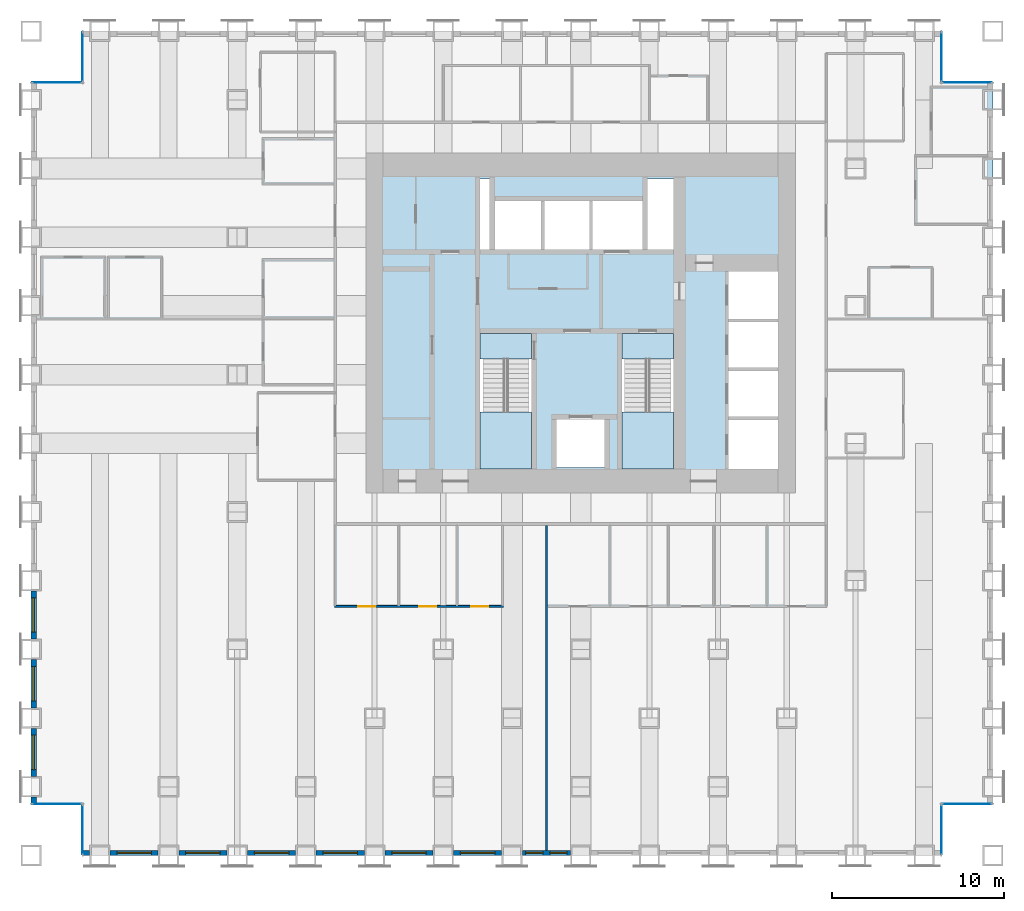
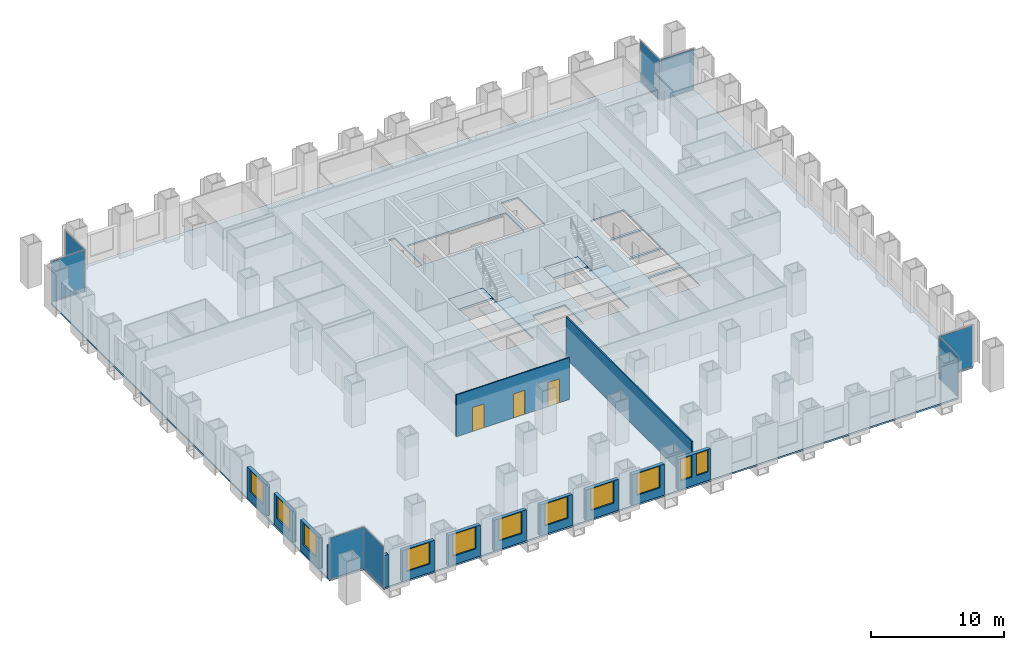
# One storey, part 7 of 14: 14 walls, 11 windows, 8 plates, 5 slabs, 3 doors, 14 openings, 10 elements without a shape of their own.
"""IFC4 building model written with IfcOpenShell, lengths in metres."""

from ifc_helpers import new_model, si_unit, direction, frame, frame_2d, origin, origin_2d, place, context, subcontext, project, spatial, polyline, rectangle, outline, extrude, material, layer, layer_set, type_object, element, fill, aggregate, save


model = new_model("IFC4")

# Units and contexts
model_context = context("Model", 3, precision=1e-05, world=origin(), true_north=direction((0.0, 1.0)))
body_context = subcontext(model_context, "Body", "Model", "MODEL_VIEW")
ifc_project = project(units=[si_unit("LENGTHUNIT", "METRE"), si_unit("AREAUNIT", "SQUARE_METRE"), si_unit("VOLUMEUNIT", "CUBIC_METRE"), si_unit("PLANEANGLEUNIT", "RADIAN"), si_unit("MASSUNIT", "GRAM", prefix="KILO")], contexts=[model_context])

# Site, building, storey
site_placement = place(None, origin())
site = spatial("IfcSite", under=ifc_project, at=site_placement, CompositionType="ELEMENT")
building_placement = place(site_placement, origin())
building = spatial("IfcBuilding", under=site, at=building_placement, Name="Rimbunsela Tower", CompositionType="ELEMENT")
storey_placement = place(building_placement, frame((0.0, 0.0, 15.0)))
storey = spatial("IfcBuildingStorey", under=building, at=storey_placement, Name="L03", CompositionType="ELEMENT", Elevation=15.0)

# Slab
ifc_material_1 = material(Name="Concrete fc' 35 MPa", Category="concrete")
ifc_layer_1 = layer(ifc_material_1, 0.14990234375)
ifc_layer_set_1 = layer_set([ifc_layer_1], Name="Floor slab 150")
slab_type_1 = type_object("IfcSlabType", Name="Floor slab 150", PredefinedType="FLOOR", material=ifc_layer_set_1)
slab_1_placement = place(storey_placement, frame((0.0, 0.0, -0.14990234375)))
element("IfcSlab", 1, at=slab_1_placement, inside=storey, type_object=slab_type_1, Name="Floor slab L03", PredefinedType="FLOOR", context=body_context, shape_type="SweptSolid", body=[
    extrude(outline(polyline([(1.0, -4.0), (51.0, -4.0), (51.0, -1.0), (54.0, -1.0), (54.0, 41.0), (51.0, 41.0), (51.0, 44.0), (1.0, 44.0), (1.0, 41.0), (-2.0, 41.0), (-2.0, -1.0), (1.0, -1.0), (1.0, -4.0)]), holes=[polyline([(27.14990234375, 18.60009765625), (27.14990234375, 26.39990234375), (24.14990234375, 26.39990234375), (24.14990234375, 18.60009765625), (27.14990234375, 18.60009765625)]), polyline([(24.699951171875, 31.300048828125), (24.699951171875, 35.39990234375), (24.14990234375, 35.39990234375), (24.14990234375, 31.300048828125), (24.699951171875, 31.300048828125)]), polyline([(25.0, 34.10009765625), (25.0, 31.300048828125), (33.60009765625, 31.300048828125), (33.60009765625, 34.10009765625), (25.0, 34.10009765625)]), polyline([(31.39990234375, 21.39990234375), (28.60009765625, 21.39990234375), (28.60009765625, 18.60009765625), (31.39990234375, 18.60009765625), (31.39990234375, 21.39990234375)]), polyline([(35.39990234375, 18.60009765625), (35.39990234375, 26.39990234375), (32.39990234375, 26.39990234375), (32.39990234375, 18.60009765625), (35.39990234375, 18.60009765625)]), polyline([(35.39990234375, 31.300048828125), (35.39990234375, 35.39990234375), (33.89990234375, 35.39990234375), (33.89990234375, 31.300048828125), (35.39990234375, 31.300048828125)]), polyline([(41.5, 21.35009765625), (38.60009765625, 21.35009765625), (38.60009765625, 18.5), (41.5, 18.5), (41.5, 21.35009765625)]), polyline([(41.5, 21.550048828125), (41.5, 24.199951171875), (38.60009765625, 24.199951171875), (38.60009765625, 21.550048828125), (41.5, 21.550048828125)]), polyline([(41.5, 27.050048828125), (38.60009765625, 27.050048828125), (38.60009765625, 24.39990234375), (41.5, 24.39990234375), (41.5, 27.050048828125)]), polyline([(41.5, 27.25), (41.5, 30.0), (38.60009765625, 30.0), (38.60009765625, 27.25), (41.5, 27.25)])]), origin(), (0.0, 0.0, 1.0), 0.14990234375),
])

# Curtain wall, plate
ifc_material_2 = material(Name="Aluminium curtain wall", Category="aluminium")
curtain_wall_type = type_object("IfcCurtainWallType", Name="Corner glazing", PredefinedType="USERDEFINED", material=ifc_material_2)
curtain_wall_1_placement = place(storey_placement, origin())
curtain_wall_1 = element("IfcCurtainWall", 2, at=curtain_wall_1_placement, inside=storey, type_object=curtain_wall_type, Name="Corner glazing L03", ObjectType="CORNER GLAZING", PredefinedType="USERDEFINED")
ifc_material_3 = material(Name="Clear double glazing", Category="glass")
ifc_layer_2 = layer(ifc_material_3, 0.028076171875)
ifc_layer_set_2 = layer_set([ifc_layer_2], Name="Glazed panel clear")
plate_type = type_object("IfcPlateType", Name="Glazed panel clear", PredefinedType="CURTAIN_PANEL", material=ifc_layer_set_2)
plate_1_placement = place(storey_placement, frame((51.0, -2.5, 0.06005859375), z_axis=(0.0, 0.0, 1.0), x_axis=(0.0, 1.0, 0.0)))
plate_1 = element("IfcPlate", 3, at=plate_1_placement, type_object=plate_type, Name="CW5 panel 1.1", PredefinedType="CURTAIN_PANEL", context=body_context, shape_type="SweptSolid", body=[
    extrude(rectangle(XDim=2.8798828125, YDim=0.028076171875, at=origin_2d()), origin(), (0.0, 0.0, 1.0), 3.72998046875),
])
aggregate(curtain_wall_1, [plate_1])

curtain_wall_2_placement = place(storey_placement, origin())
curtain_wall_2 = element("IfcCurtainWall", 4, at=curtain_wall_2_placement, inside=storey, type_object=curtain_wall_type, Name="Corner glazing L03", ObjectType="CORNER GLAZING", PredefinedType="USERDEFINED")
plate_2_placement = place(storey_placement, frame((52.5, -1.0, 0.06005859375), z_axis=(0.0, 0.0, 1.0), x_axis=(1.0, 0.0, 0.0)))
plate_2 = element("IfcPlate", 5, at=plate_2_placement, type_object=plate_type, Name="CW5 panel 1.1", PredefinedType="CURTAIN_PANEL", context=body_context, shape_type="SweptSolid", body=[
    extrude(rectangle(XDim=2.8798828125, YDim=0.028076171875, at=origin_2d()), origin(), (0.0, 0.0, 1.0), 3.72998046875),
])
aggregate(curtain_wall_2, [plate_2])

curtain_wall_3_placement = place(storey_placement, origin())
curtain_wall_3 = element("IfcCurtainWall", 6, at=curtain_wall_3_placement, inside=storey, type_object=curtain_wall_type, Name="Corner glazing L03", ObjectType="CORNER GLAZING", PredefinedType="USERDEFINED")
plate_3_placement = place(storey_placement, frame((52.5, 41.0, 0.06005859375), z_axis=(0.0, 0.0, 1.0), x_axis=(-1.0, 0.0, 0.0)))
plate_3 = element("IfcPlate", 7, at=plate_3_placement, type_object=plate_type, Name="CW5 panel 1.1", PredefinedType="CURTAIN_PANEL", context=body_context, shape_type="SweptSolid", body=[
    extrude(rectangle(XDim=2.8798828125, YDim=0.028076171875, at=origin_2d()), origin(), (0.0, 0.0, 1.0), 3.72998046875),
])
aggregate(curtain_wall_3, [plate_3])

curtain_wall_4_placement = place(storey_placement, origin())
curtain_wall_4 = element("IfcCurtainWall", 8, at=curtain_wall_4_placement, inside=storey, type_object=curtain_wall_type, Name="Corner glazing L03", ObjectType="CORNER GLAZING", PredefinedType="USERDEFINED")
plate_4_placement = place(storey_placement, frame((51.0, 42.5, 0.06005859375), z_axis=(0.0, 0.0, 1.0), x_axis=(0.0, 1.0, 0.0)))
plate_4 = element("IfcPlate", 9, at=plate_4_placement, type_object=plate_type, Name="CW5 panel 1.1", PredefinedType="CURTAIN_PANEL", context=body_context, shape_type="SweptSolid", body=[
    extrude(rectangle(XDim=2.8798828125, YDim=0.028076171875, at=origin_2d()), origin(), (0.0, 0.0, 1.0), 3.72998046875),
])
aggregate(curtain_wall_4, [plate_4])

curtain_wall_5_placement = place(storey_placement, origin())
curtain_wall_5 = element("IfcCurtainWall", 10, at=curtain_wall_5_placement, inside=storey, type_object=curtain_wall_type, Name="Corner glazing L03", ObjectType="CORNER GLAZING", PredefinedType="USERDEFINED")
plate_5_placement = place(storey_placement, frame((1.0, 42.5, 0.06005859375), z_axis=(0.0, 0.0, 1.0), x_axis=(0.0, -1.0, 0.0)))
plate_5 = element("IfcPlate", 11, at=plate_5_placement, type_object=plate_type, Name="CW5 panel 1.1", PredefinedType="CURTAIN_PANEL", context=body_context, shape_type="SweptSolid", body=[
    extrude(rectangle(XDim=2.8798828125, YDim=0.028076171875, at=origin_2d()), origin(), (0.0, 0.0, 1.0), 3.72998046875),
])
aggregate(curtain_wall_5, [plate_5])

curtain_wall_6_placement = place(storey_placement, origin())
curtain_wall_6 = element("IfcCurtainWall", 12, at=curtain_wall_6_placement, inside=storey, type_object=curtain_wall_type, Name="Corner glazing L03", ObjectType="CORNER GLAZING", PredefinedType="USERDEFINED")
plate_6_placement = place(storey_placement, frame((-0.5, 41.0, 0.06005859375), z_axis=(0.0, 0.0, 1.0), x_axis=(-1.0, 0.0, 0.0)))
plate_6 = element("IfcPlate", 13, at=plate_6_placement, type_object=plate_type, Name="CW5 panel 1.1", PredefinedType="CURTAIN_PANEL", context=body_context, shape_type="SweptSolid", body=[
    extrude(rectangle(XDim=2.8798828125, YDim=0.028076171875, at=origin_2d()), origin(), (0.0, 0.0, 1.0), 3.72998046875),
])
aggregate(curtain_wall_6, [plate_6])

curtain_wall_7_placement = place(storey_placement, origin())
curtain_wall_7 = element("IfcCurtainWall", 14, at=curtain_wall_7_placement, inside=storey, type_object=curtain_wall_type, Name="Corner glazing L03", ObjectType="CORNER GLAZING", PredefinedType="USERDEFINED")
plate_7_placement = place(storey_placement, frame((-0.5, -1.0, 0.06005859375), z_axis=(0.0, 0.0, 1.0), x_axis=(1.0, 0.0, 0.0)))
plate_7 = element("IfcPlate", 15, at=plate_7_placement, type_object=plate_type, Name="CW5 panel 1.1", PredefinedType="CURTAIN_PANEL", context=body_context, shape_type="SweptSolid", body=[
    extrude(rectangle(XDim=2.8798828125, YDim=0.028076171875, at=origin_2d()), origin(), (0.0, 0.0, 1.0), 3.72998046875),
])
aggregate(curtain_wall_7, [plate_7])

curtain_wall_8_placement = place(storey_placement, origin())
curtain_wall_8 = element("IfcCurtainWall", 16, at=curtain_wall_8_placement, inside=storey, type_object=curtain_wall_type, Name="Corner glazing L03", ObjectType="CORNER GLAZING", PredefinedType="USERDEFINED")
plate_8_placement = place(storey_placement, frame((1.0, -2.5, 0.06005859375), z_axis=(0.0, 0.0, 1.0), x_axis=(0.0, -1.0, 0.0)))
plate_8 = element("IfcPlate", 17, at=plate_8_placement, type_object=plate_type, Name="CW5 panel 1.1", PredefinedType="CURTAIN_PANEL", context=body_context, shape_type="SweptSolid", body=[
    extrude(rectangle(XDim=2.8798828125, YDim=0.028076171875, at=origin_2d()), origin(), (0.0, 0.0, 1.0), 3.72998046875),
])
aggregate(curtain_wall_8, [plate_8])

# Stair, slabs
ifc_material_4 = material(Name="Concrete fc' 35 MPa", Category="concrete")
stair_type = type_object("IfcStairType", Name="Exit stair 24 risers", PredefinedType="HALF_TURN_STAIR", material=ifc_material_4)
stair_1_placement = place(storey_placement, origin())
stair_1 = element("IfcStair", 18, at=stair_1_placement, inside=storey, type_object=stair_type, Name="Exit stair A L03", PredefinedType="HALF_TURN_STAIR")
ifc_material_5 = material(Name="Concrete fc' 35 MPa", Category="concrete")
ifc_layer_3 = layer(ifc_material_5, 0.199951171875)
ifc_layer_set_3 = layer_set([ifc_layer_3], Name="Stair landing 200")
slab_type_2 = type_object("IfcSlabType", Name="Stair landing 200", PredefinedType="LANDING", material=ifc_layer_set_3)
slab_2_placement = place(storey_placement, frame((0.0, 0.0, -0.199951171875)))
slab_2 = element("IfcSlab", 19, at=slab_2_placement, type_object=slab_type_2, Name="ST-A landing 1", PredefinedType="LANDING", context=body_context, shape_type="SweptSolid", body=[
    extrude(outline(polyline([(24.14990234375, 24.89990234375), (27.14990234375, 24.89990234375), (27.14990234375, 26.39990234375), (24.14990234375, 26.39990234375), (24.14990234375, 24.89990234375)])), origin(), (0.0, 0.0, 1.0), 0.199951171875),
])
slab_3_placement = place(storey_placement, frame((0.0, 0.0, 1.800048828125)))
slab_3 = element("IfcSlab", 20, at=slab_3_placement, type_object=slab_type_2, Name="ST-A landing 2", PredefinedType="LANDING", context=body_context, shape_type="SweptSolid", body=[
    extrude(outline(polyline([(24.14990234375, 18.5), (27.14990234375, 18.5), (27.14990234375, 21.820068359375), (24.14990234375, 21.820068359375), (24.14990234375, 18.5)])), origin(), (0.0, 0.0, 1.0), 0.199951171875),
])
aggregate(stair_1, [slab_2, slab_3])

stair_2_placement = place(storey_placement, origin())
stair_2 = element("IfcStair", 21, at=stair_2_placement, inside=storey, type_object=stair_type, Name="Exit stair B L03", PredefinedType="HALF_TURN_STAIR")
slab_4_placement = place(storey_placement, frame((0.0, 0.0, -0.199951171875)))
slab_4 = element("IfcSlab", 22, at=slab_4_placement, type_object=slab_type_2, Name="ST-B landing 1", PredefinedType="LANDING", context=body_context, shape_type="SweptSolid", body=[
    extrude(outline(polyline([(32.39990234375, 24.89990234375), (35.39990234375, 24.89990234375), (35.39990234375, 26.39990234375), (32.39990234375, 26.39990234375), (32.39990234375, 24.89990234375)])), origin(), (0.0, 0.0, 1.0), 0.199951171875),
])
slab_5_placement = place(storey_placement, frame((0.0, 0.0, 1.800048828125)))
slab_5 = element("IfcSlab", 23, at=slab_5_placement, type_object=slab_type_2, Name="ST-B landing 2", PredefinedType="LANDING", context=body_context, shape_type="SweptSolid", body=[
    extrude(outline(polyline([(32.39990234375, 18.5), (35.39990234375, 18.5), (35.39990234375, 21.820068359375), (32.39990234375, 21.820068359375), (32.39990234375, 18.5)])), origin(), (0.0, 0.0, 1.0), 0.199951171875),
])
aggregate(stair_2, [slab_4, slab_5])

# Wall, openings, doors
ifc_material_6 = material(Name="Gypsum board on steel studs", Category="steel")
ifc_layer_4 = layer(ifc_material_6, 0.10009765625)
ifc_layer_set_4 = layer_set([ifc_layer_4], Name="Office partition 100")
wall_type_1 = type_object("IfcWallType", Name="Office partition 100", PredefinedType="PARTITIONING", material=ifc_layer_set_4)
wall_1_placement = place(storey_placement, frame((15.64990234375, 10.5, 0.0), z_axis=(0.0, 0.0, 1.0), x_axis=(1.0, 0.0, 0.0)))
wall_1 = element("IfcWall", 24, at=wall_1_placement, inside=storey, type_object=wall_type_1, Name="Office partition", PredefinedType="PARTITIONING", context=body_context, shape_type="SweptSolid", body=[
    extrude(rectangle(XDim=9.85009765625, YDim=0.10009765625, at=frame_2d((4.925048828125, 0.0))), origin(), (0.0, 0.0, 1.0), 3.85009765625),
])
opening_1_placement = place(wall_1_placement, frame((1.39990234375, 0.0, 0.0)))
opening_1 = element("IfcOpeningElement", 25, at=opening_1_placement, cuts=wall_1, Name="Opening D17", PredefinedType="OPENING", context=body_context, shape_type="SweptSolid", body=[
    extrude(rectangle(XDim=1.0, YDim=2.199951171875, at=frame_2d((0.5, 1.10009765625))), frame((0.0, 0.06005859375, 0.0), z_axis=(0.0, -1.0, 0.0), x_axis=(1.0, 0.0, 0.0)), (0.0, 0.0, 1.0), 0.1201171875),
])
opening_2_placement = place(wall_1_placement, frame((4.949951171875, 0.0, 0.0)))
opening_2 = element("IfcOpeningElement", 26, at=opening_2_placement, cuts=wall_1, Name="Opening D16", PredefinedType="OPENING", context=body_context, shape_type="SweptSolid", body=[
    extrude(rectangle(XDim=1.0, YDim=2.199951171875, at=frame_2d((0.5, 1.10009765625))), frame((0.0, 0.06005859375, 0.0), z_axis=(0.0, -1.0, 0.0), x_axis=(1.0, 0.0, 0.0)), (0.0, 0.0, 1.0), 0.1201171875),
])
opening_3_placement = place(wall_1_placement, frame((7.97509765625, 0.0, 0.0)))
opening_3 = element("IfcOpeningElement", 27, at=opening_3_placement, cuts=wall_1, Name="Opening D16", PredefinedType="OPENING", context=body_context, shape_type="SweptSolid", body=[
    extrude(rectangle(XDim=1.0, YDim=2.199951171875, at=frame_2d((0.5, 1.10009765625))), frame((0.0, 0.06005859375, 0.0), z_axis=(0.0, -1.0, 0.0), x_axis=(1.0, 0.0, 0.0)), (0.0, 0.0, 1.0), 0.1201171875),
])
ifc_material_7 = material(Name="Glazed aluminium door", Category="aluminium")
door_type_1 = type_object("IfcDoorType", Name="Meeting room door 1000 glazed", OperationType="SINGLE_SWING_RIGHT", PredefinedType="DOOR", material=ifc_material_7)
door_1_placement = place(opening_1_placement, origin())
door_1 = element("IfcDoor", 28, at=door_1_placement, inside=storey, type_object=door_type_1, Name="Meeting room door", OperationType="SINGLE_SWING_RIGHT", OverallHeight=2.199951171875, OverallWidth=1.0, PredefinedType="DOOR", context=body_context, shape_type="SweptSolid", body=[
    extrude(rectangle(XDim=1.0, YDim=2.199951171875, at=frame_2d((0.5, 1.10009765625))), frame((0.0, 0.02490234375, 0.0), z_axis=(0.0, -1.0, 0.0), x_axis=(1.0, 0.0, 0.0)), (0.0, 0.0, 1.0), 0.050048828125),
])
fill(opening_1, door_1)
ifc_material_8 = material(Name="Timber door", Category="wood")
door_type_2 = type_object("IfcDoorType", Name="Office door 1000", OperationType="SINGLE_SWING_LEFT", PredefinedType="DOOR", material=ifc_material_8)
door_2_placement = place(opening_2_placement, origin())
door_2 = element("IfcDoor", 29, at=door_2_placement, inside=storey, type_object=door_type_2, Name="Office door", OperationType="SINGLE_SWING_LEFT", OverallHeight=2.199951171875, OverallWidth=1.0, PredefinedType="DOOR", context=body_context, shape_type="SweptSolid", body=[
    extrude(rectangle(XDim=1.0, YDim=2.199951171875, at=frame_2d((0.5, 1.10009765625))), frame((0.0, 0.02490234375, 0.0), z_axis=(0.0, -1.0, 0.0), x_axis=(1.0, 0.0, 0.0)), (0.0, 0.0, 1.0), 0.050048828125),
])
fill(opening_2, door_2)
door_3_placement = place(opening_3_placement, origin())
door_3 = element("IfcDoor", 30, at=door_3_placement, inside=storey, type_object=door_type_2, Name="Office door", OperationType="SINGLE_SWING_LEFT", OverallHeight=2.199951171875, OverallWidth=1.0, PredefinedType="DOOR", context=body_context, shape_type="SweptSolid", body=[
    extrude(rectangle(XDim=1.0, YDim=2.199951171875, at=frame_2d((0.5, 1.10009765625))), frame((0.0, 0.02490234375, 0.0), z_axis=(0.0, -1.0, 0.0), x_axis=(1.0, 0.0, 0.0)), (0.0, 0.0, 1.0), 0.050048828125),
])
fill(opening_3, door_3)

# Wall
ifc_material_9 = material(Name="Precast concrete fc' 35 MPa", Category="concrete")
ifc_layer_5 = layer(ifc_material_9, 0.300048828125)
ifc_layer_set_5 = layer_set([ifc_layer_5], Name="Precast concrete fc' 35 MPa")
wall_type_2 = type_object("IfcWallType", Name="Precast facade panel 300", PredefinedType="ELEMENTEDWALL", material=ifc_layer_set_5)
wall_2_placement = place(storey_placement, frame((1.030029296875, -3.85009765625, 0.0), z_axis=(0.0, 0.0, 1.0), x_axis=(1.0, 0.0, 0.0)))
element("IfcWall", 31, at=wall_2_placement, inside=storey, type_object=wall_type_2, Name="Facade panel S L03", PredefinedType="ELEMENTEDWALL", context=body_context, shape_type="SweptSolid", body=[
    extrude(rectangle(XDim=0.369873046875, YDim=0.300048828125, at=frame_2d((0.18505859375, 0.0))), origin(), (0.0, 0.0, 1.0), 2.949951171875),
])

# Wall, opening, window
wall_3_placement = place(storey_placement, frame((2.60009765625, -3.85009765625, 0.0), z_axis=(0.0, 0.0, 1.0), x_axis=(1.0, 0.0, 0.0)))
wall_3 = element("IfcWall", 32, at=wall_3_placement, inside=storey, type_object=wall_type_2, Name="Facade panel S L03", PredefinedType="ELEMENTEDWALL", context=body_context, shape_type="SweptSolid", body=[
    extrude(rectangle(XDim=2.7998046875, YDim=0.300048828125, at=frame_2d((1.39990234375, 0.0))), origin(), (0.0, 0.0, 1.0), 2.85009765625),
])
opening_4_placement = place(wall_3_placement, frame((0.39990234375, 0.0, 0.800048828125)))
opening_4 = element("IfcOpeningElement", 33, at=opening_4_placement, cuts=wall_3, Name="Opening W1", PredefinedType="OPENING", context=body_context, shape_type="SweptSolid", body=[
    extrude(rectangle(XDim=2.0, YDim=2.0, at=frame_2d((1.0, 1.0))), frame((0.0, 0.159912109375, 0.0), z_axis=(0.0, -1.0, 0.0), x_axis=(1.0, 0.0, 0.0)), (0.0, 0.0, 1.0), 0.320068359375),
])
ifc_material_10 = material(Name="Clear glass in aluminium frame", Category="aluminium")
window_type_1 = type_object("IfcWindowType", Name="Window W1 2000x2000", PartitioningType="DOUBLE_PANEL_VERTICAL", PredefinedType="WINDOW", material=ifc_material_10)
window_1_placement = place(opening_4_placement, origin())
window_1 = element("IfcWindow", 34, at=window_1_placement, inside=storey, type_object=window_type_1, Name="Window L03", OverallHeight=2.0, OverallWidth=2.0, PartitioningType="SINGLE_PANEL", PredefinedType="WINDOW", context=body_context, shape_type="SweptSolid", body=[
    extrude(rectangle(XDim=2.0, YDim=2.0, at=frame_2d((1.0, 1.0))), frame((0.0, 0.030029296875, 0.0), z_axis=(0.0, -1.0, 0.0), x_axis=(1.0, 0.0, 0.0)), (0.0, 0.0, 1.0), 0.06005859375),
])
fill(opening_4, window_1)

wall_4_placement = place(storey_placement, frame((6.60009765625, -3.85009765625, 0.0), z_axis=(0.0, 0.0, 1.0), x_axis=(1.0, 0.0, 0.0)))
wall_4 = element("IfcWall", 35, at=wall_4_placement, inside=storey, type_object=wall_type_2, Name="Facade panel S L03", PredefinedType="ELEMENTEDWALL", context=body_context, shape_type="SweptSolid", body=[
    extrude(rectangle(XDim=2.7998046875, YDim=0.300048828125, at=frame_2d((1.39990234375, 0.0))), origin(), (0.0, 0.0, 1.0), 2.85009765625),
])
opening_5_placement = place(wall_4_placement, frame((0.39990234375, 0.0, 0.800048828125)))
opening_5 = element("IfcOpeningElement", 36, at=opening_5_placement, cuts=wall_4, Name="Opening W1", PredefinedType="OPENING", context=body_context, shape_type="SweptSolid", body=[
    extrude(rectangle(XDim=2.0, YDim=2.0, at=frame_2d((1.0, 1.0))), frame((0.0, 0.159912109375, 0.0), z_axis=(0.0, -1.0, 0.0), x_axis=(1.0, 0.0, 0.0)), (0.0, 0.0, 1.0), 0.320068359375),
])
window_2_placement = place(opening_5_placement, origin())
window_2 = element("IfcWindow", 37, at=window_2_placement, inside=storey, type_object=window_type_1, Name="Window L03", OverallHeight=2.0, OverallWidth=2.0, PartitioningType="SINGLE_PANEL", PredefinedType="WINDOW", context=body_context, shape_type="SweptSolid", body=[
    extrude(rectangle(XDim=2.0, YDim=2.0, at=frame_2d((1.0, 1.0))), frame((0.0, 0.030029296875, 0.0), z_axis=(0.0, -1.0, 0.0), x_axis=(1.0, 0.0, 0.0)), (0.0, 0.0, 1.0), 0.06005859375),
])
fill(opening_5, window_2)

wall_5_placement = place(storey_placement, frame((10.60009765625, -3.85009765625, 0.0), z_axis=(0.0, 0.0, 1.0), x_axis=(1.0, 0.0, 0.0)))
wall_5 = element("IfcWall", 38, at=wall_5_placement, inside=storey, type_object=wall_type_2, Name="Facade panel S L03", PredefinedType="ELEMENTEDWALL", context=body_context, shape_type="SweptSolid", body=[
    extrude(rectangle(XDim=2.7998046875, YDim=0.300048828125, at=frame_2d((1.39990234375, 0.0))), origin(), (0.0, 0.0, 1.0), 2.85009765625),
])
opening_6_placement = place(wall_5_placement, frame((0.39990234375, 0.0, 0.800048828125)))
opening_6 = element("IfcOpeningElement", 39, at=opening_6_placement, cuts=wall_5, Name="Opening W1", PredefinedType="OPENING", context=body_context, shape_type="SweptSolid", body=[
    extrude(rectangle(XDim=2.0, YDim=2.0, at=frame_2d((1.0, 1.0))), frame((0.0, 0.159912109375, 0.0), z_axis=(0.0, -1.0, 0.0), x_axis=(1.0, 0.0, 0.0)), (0.0, 0.0, 1.0), 0.320068359375),
])
window_3_placement = place(opening_6_placement, origin())
window_3 = element("IfcWindow", 40, at=window_3_placement, inside=storey, type_object=window_type_1, Name="Window L03", OverallHeight=2.0, OverallWidth=2.0, PartitioningType="SINGLE_PANEL", PredefinedType="WINDOW", context=body_context, shape_type="SweptSolid", body=[
    extrude(rectangle(XDim=2.0, YDim=2.0, at=frame_2d((1.0, 1.0))), frame((0.0, 0.030029296875, 0.0), z_axis=(0.0, -1.0, 0.0), x_axis=(1.0, 0.0, 0.0)), (0.0, 0.0, 1.0), 0.06005859375),
])
fill(opening_6, window_3)

wall_6_placement = place(storey_placement, frame((14.60009765625, -3.85009765625, 0.0), z_axis=(0.0, 0.0, 1.0), x_axis=(1.0, 0.0, 0.0)))
wall_6 = element("IfcWall", 41, at=wall_6_placement, inside=storey, type_object=wall_type_2, Name="Facade panel S L03", PredefinedType="ELEMENTEDWALL", context=body_context, shape_type="SweptSolid", body=[
    extrude(rectangle(XDim=2.7998046875, YDim=0.300048828125, at=frame_2d((1.39990234375, 0.0))), origin(), (0.0, 0.0, 1.0), 2.85009765625),
])
opening_7_placement = place(wall_6_placement, frame((0.39990234375, 0.0, 0.800048828125)))
opening_7 = element("IfcOpeningElement", 42, at=opening_7_placement, cuts=wall_6, Name="Opening W1", PredefinedType="OPENING", context=body_context, shape_type="SweptSolid", body=[
    extrude(rectangle(XDim=2.0, YDim=2.0, at=frame_2d((1.0, 1.0))), frame((0.0, 0.159912109375, 0.0), z_axis=(0.0, -1.0, 0.0), x_axis=(1.0, 0.0, 0.0)), (0.0, 0.0, 1.0), 0.320068359375),
])
window_4_placement = place(opening_7_placement, origin())
window_4 = element("IfcWindow", 43, at=window_4_placement, inside=storey, type_object=window_type_1, Name="Window L03", OverallHeight=2.0, OverallWidth=2.0, PartitioningType="SINGLE_PANEL", PredefinedType="WINDOW", context=body_context, shape_type="SweptSolid", body=[
    extrude(rectangle(XDim=2.0, YDim=2.0, at=frame_2d((1.0, 1.0))), frame((0.0, 0.030029296875, 0.0), z_axis=(0.0, -1.0, 0.0), x_axis=(1.0, 0.0, 0.0)), (0.0, 0.0, 1.0), 0.06005859375),
])
fill(opening_7, window_4)

wall_7_placement = place(storey_placement, frame((18.60009765625, -3.85009765625, 0.0), z_axis=(0.0, 0.0, 1.0), x_axis=(1.0, 0.0, 0.0)))
wall_7 = element("IfcWall", 44, at=wall_7_placement, inside=storey, type_object=wall_type_2, Name="Facade panel S L03", PredefinedType="ELEMENTEDWALL", context=body_context, shape_type="SweptSolid", body=[
    extrude(rectangle(XDim=2.7998046875, YDim=0.300048828125, at=frame_2d((1.39990234375, 0.0))), origin(), (0.0, 0.0, 1.0), 2.85009765625),
])
opening_8_placement = place(wall_7_placement, frame((0.39990234375, 0.0, 0.800048828125)))
opening_8 = element("IfcOpeningElement", 45, at=opening_8_placement, cuts=wall_7, Name="Opening W1", PredefinedType="OPENING", context=body_context, shape_type="SweptSolid", body=[
    extrude(rectangle(XDim=2.0, YDim=2.0, at=frame_2d((1.0, 1.0))), frame((0.0, 0.159912109375, 0.0), z_axis=(0.0, -1.0, 0.0), x_axis=(1.0, 0.0, 0.0)), (0.0, 0.0, 1.0), 0.320068359375),
])
window_5_placement = place(opening_8_placement, origin())
window_5 = element("IfcWindow", 46, at=window_5_placement, inside=storey, type_object=window_type_1, Name="Window L03", OverallHeight=2.0, OverallWidth=2.0, PartitioningType="SINGLE_PANEL", PredefinedType="WINDOW", context=body_context, shape_type="SweptSolid", body=[
    extrude(rectangle(XDim=2.0, YDim=2.0, at=frame_2d((1.0, 1.0))), frame((0.0, 0.030029296875, 0.0), z_axis=(0.0, -1.0, 0.0), x_axis=(1.0, 0.0, 0.0)), (0.0, 0.0, 1.0), 0.06005859375),
])
fill(opening_8, window_5)

wall_8_placement = place(storey_placement, frame((22.60009765625, -3.85009765625, 0.0), z_axis=(0.0, 0.0, 1.0), x_axis=(1.0, 0.0, 0.0)))
wall_8 = element("IfcWall", 47, at=wall_8_placement, inside=storey, type_object=wall_type_2, Name="Facade panel S L03", PredefinedType="ELEMENTEDWALL", context=body_context, shape_type="SweptSolid", body=[
    extrude(rectangle(XDim=2.7998046875, YDim=0.300048828125, at=frame_2d((1.39990234375, 0.0))), origin(), (0.0, 0.0, 1.0), 2.85009765625),
])
opening_9_placement = place(wall_8_placement, frame((0.39990234375, 0.0, 0.800048828125)))
opening_9 = element("IfcOpeningElement", 48, at=opening_9_placement, cuts=wall_8, Name="Opening W1", PredefinedType="OPENING", context=body_context, shape_type="SweptSolid", body=[
    extrude(rectangle(XDim=2.0, YDim=2.0, at=frame_2d((1.0, 1.0))), frame((0.0, 0.159912109375, 0.0), z_axis=(0.0, -1.0, 0.0), x_axis=(1.0, 0.0, 0.0)), (0.0, 0.0, 1.0), 0.320068359375),
])
window_6_placement = place(opening_9_placement, origin())
window_6 = element("IfcWindow", 49, at=window_6_placement, inside=storey, type_object=window_type_1, Name="Window L03", OverallHeight=2.0, OverallWidth=2.0, PartitioningType="SINGLE_PANEL", PredefinedType="WINDOW", context=body_context, shape_type="SweptSolid", body=[
    extrude(rectangle(XDim=2.0, YDim=2.0, at=frame_2d((1.0, 1.0))), frame((0.0, 0.030029296875, 0.0), z_axis=(0.0, -1.0, 0.0), x_axis=(1.0, 0.0, 0.0)), (0.0, 0.0, 1.0), 0.06005859375),
])
fill(opening_9, window_6)

# Wall, openings, windows
wall_9_placement = place(storey_placement, frame((26.60009765625, -3.85009765625, 0.0), z_axis=(0.0, 0.0, 1.0), x_axis=(1.0, 0.0, 0.0)))
wall_9 = element("IfcWall", 50, at=wall_9_placement, inside=storey, type_object=wall_type_2, Name="Facade panel S L03", PredefinedType="ELEMENTEDWALL", context=body_context, shape_type="SweptSolid", body=[
    extrude(rectangle(XDim=2.7998046875, YDim=0.300048828125, at=frame_2d((1.39990234375, 0.0))), origin(), (0.0, 0.0, 1.0), 2.85009765625),
])
opening_10_placement = place(wall_9_placement, frame((0.199951171875, 0.0, 0.800048828125)))
opening_10 = element("IfcOpeningElement", 51, at=opening_10_placement, cuts=wall_9, Name="Opening W5", PredefinedType="OPENING", context=body_context, shape_type="SweptSolid", body=[
    extrude(rectangle(XDim=1.0, YDim=2.0, at=frame_2d((0.5, 1.0))), frame((0.0, 0.159912109375, 0.0), z_axis=(0.0, -1.0, 0.0), x_axis=(1.0, 0.0, 0.0)), (0.0, 0.0, 1.0), 0.320068359375),
])
opening_11_placement = place(wall_9_placement, frame((1.60009765625, 0.0, 0.800048828125)))
opening_11 = element("IfcOpeningElement", 52, at=opening_11_placement, cuts=wall_9, Name="Opening W5", PredefinedType="OPENING", context=body_context, shape_type="SweptSolid", body=[
    extrude(rectangle(XDim=1.0, YDim=2.0, at=frame_2d((0.5, 1.0))), frame((0.0, 0.159912109375, 0.0), z_axis=(0.0, -1.0, 0.0), x_axis=(1.0, 0.0, 0.0)), (0.0, 0.0, 1.0), 0.320068359375),
])
ifc_material_11 = material(Name="Clear glass in aluminium frame", Category="aluminium")
window_type_2 = type_object("IfcWindowType", Name="Window W5 1000x2000", PartitioningType="SINGLE_PANEL", PredefinedType="WINDOW", material=ifc_material_11)
window_7_placement = place(opening_10_placement, origin())
window_7 = element("IfcWindow", 53, at=window_7_placement, inside=storey, type_object=window_type_2, Name="Window L03", OverallHeight=2.0, OverallWidth=1.0, PartitioningType="SINGLE_PANEL", PredefinedType="WINDOW", context=body_context, shape_type="SweptSolid", body=[
    extrude(rectangle(XDim=1.0, YDim=2.0, at=frame_2d((0.5, 1.0))), frame((0.0, 0.030029296875, 0.0), z_axis=(0.0, -1.0, 0.0), x_axis=(1.0, 0.0, 0.0)), (0.0, 0.0, 1.0), 0.06005859375),
])
fill(opening_10, window_7)
window_8_placement = place(opening_11_placement, origin())
window_8 = element("IfcWindow", 54, at=window_8_placement, inside=storey, type_object=window_type_2, Name="Window L03", OverallHeight=2.0, OverallWidth=1.0, PartitioningType="SINGLE_PANEL", PredefinedType="WINDOW", context=body_context, shape_type="SweptSolid", body=[
    extrude(rectangle(XDim=1.0, YDim=2.0, at=frame_2d((0.5, 1.0))), frame((0.0, 0.030029296875, 0.0), z_axis=(0.0, -1.0, 0.0), x_axis=(1.0, 0.0, 0.0)), (0.0, 0.0, 1.0), 0.06005859375),
])
fill(opening_11, window_8)

# Wall
wall_10_placement = place(storey_placement, frame((-1.85009765625, -0.60009765625, 0.0), z_axis=(0.0, 0.0, 1.0), x_axis=(0.0, -1.0, 0.0)))
element("IfcWall", 55, at=wall_10_placement, inside=storey, type_object=wall_type_2, Name="Facade panel W L03", PredefinedType="ELEMENTEDWALL", context=body_context, shape_type="SweptSolid", body=[
    extrude(rectangle(XDim=0.369873046875, YDim=0.300048828125, at=frame_2d((0.18505859375, 0.0))), origin(), (0.0, 0.0, 1.0), 2.949951171875),
])

# Wall, opening, window
wall_11_placement = place(storey_placement, frame((-1.85009765625, 3.39990234375, 0.0), z_axis=(0.0, 0.0, 1.0), x_axis=(0.0, -1.0, 0.0)))
wall_11 = element("IfcWall", 56, at=wall_11_placement, inside=storey, type_object=wall_type_2, Name="Facade panel W L03", PredefinedType="ELEMENTEDWALL", context=body_context, shape_type="SweptSolid", body=[
    extrude(rectangle(XDim=2.7998046875, YDim=0.300048828125, at=frame_2d((1.39990234375, 0.0))), origin(), (0.0, 0.0, 1.0), 2.85009765625),
])
opening_12_placement = place(wall_11_placement, frame((0.39990234375, 0.0, 0.800048828125)))
opening_12 = element("IfcOpeningElement", 57, at=opening_12_placement, cuts=wall_11, Name="Opening W1", PredefinedType="OPENING", context=body_context, shape_type="SweptSolid", body=[
    extrude(rectangle(XDim=2.0, YDim=2.0, at=frame_2d((1.0, 1.0))), frame((0.0, 0.159912109375, 0.0), z_axis=(0.0, -1.0, 0.0), x_axis=(1.0, 0.0, 0.0)), (0.0, 0.0, 1.0), 0.320068359375),
])
window_9_placement = place(opening_12_placement, origin())
window_9 = element("IfcWindow", 58, at=window_9_placement, inside=storey, type_object=window_type_1, Name="Window L03", OverallHeight=2.0, OverallWidth=2.0, PartitioningType="SINGLE_PANEL", PredefinedType="WINDOW", context=body_context, shape_type="SweptSolid", body=[
    extrude(rectangle(XDim=2.0, YDim=2.0, at=frame_2d((1.0, 1.0))), frame((0.0, 0.030029296875, 0.0), z_axis=(0.0, -1.0, 0.0), x_axis=(1.0, 0.0, 0.0)), (0.0, 0.0, 1.0), 0.06005859375),
])
fill(opening_12, window_9)

wall_12_placement = place(storey_placement, frame((-1.85009765625, 7.39990234375, 0.0), z_axis=(0.0, 0.0, 1.0), x_axis=(0.0, -1.0, 0.0)))
wall_12 = element("IfcWall", 59, at=wall_12_placement, inside=storey, type_object=wall_type_2, Name="Facade panel W L03", PredefinedType="ELEMENTEDWALL", context=body_context, shape_type="SweptSolid", body=[
    extrude(rectangle(XDim=2.7998046875, YDim=0.300048828125, at=frame_2d((1.39990234375, 0.0))), origin(), (0.0, 0.0, 1.0), 2.85009765625),
])
opening_13_placement = place(wall_12_placement, frame((0.39990234375, 0.0, 0.800048828125)))
opening_13 = element("IfcOpeningElement", 60, at=opening_13_placement, cuts=wall_12, Name="Opening W1", PredefinedType="OPENING", context=body_context, shape_type="SweptSolid", body=[
    extrude(rectangle(XDim=2.0, YDim=2.0, at=frame_2d((1.0, 1.0))), frame((0.0, 0.159912109375, 0.0), z_axis=(0.0, -1.0, 0.0), x_axis=(1.0, 0.0, 0.0)), (0.0, 0.0, 1.0), 0.320068359375),
])
window_10_placement = place(opening_13_placement, origin())
window_10 = element("IfcWindow", 61, at=window_10_placement, inside=storey, type_object=window_type_1, Name="Window L03", OverallHeight=2.0, OverallWidth=2.0, PartitioningType="SINGLE_PANEL", PredefinedType="WINDOW", context=body_context, shape_type="SweptSolid", body=[
    extrude(rectangle(XDim=2.0, YDim=2.0, at=frame_2d((1.0, 1.0))), frame((0.0, 0.030029296875, 0.0), z_axis=(0.0, -1.0, 0.0), x_axis=(1.0, 0.0, 0.0)), (0.0, 0.0, 1.0), 0.06005859375),
])
fill(opening_13, window_10)

wall_13_placement = place(storey_placement, frame((-1.85009765625, 11.39990234375, 0.0), z_axis=(0.0, 0.0, 1.0), x_axis=(0.0, -1.0, 0.0)))
wall_13 = element("IfcWall", 62, at=wall_13_placement, inside=storey, type_object=wall_type_2, Name="Facade panel W L03", PredefinedType="ELEMENTEDWALL", context=body_context, shape_type="SweptSolid", body=[
    extrude(rectangle(XDim=2.7998046875, YDim=0.300048828125, at=frame_2d((1.39990234375, 0.0))), origin(), (0.0, 0.0, 1.0), 2.85009765625),
])
opening_14_placement = place(wall_13_placement, frame((0.39990234375, 0.0, 0.800048828125)))
opening_14 = element("IfcOpeningElement", 63, at=opening_14_placement, cuts=wall_13, Name="Opening W1", PredefinedType="OPENING", context=body_context, shape_type="SweptSolid", body=[
    extrude(rectangle(XDim=2.0, YDim=2.0, at=frame_2d((1.0, 1.0))), frame((0.0, 0.159912109375, 0.0), z_axis=(0.0, -1.0, 0.0), x_axis=(1.0, 0.0, 0.0)), (0.0, 0.0, 1.0), 0.320068359375),
])
window_11_placement = place(opening_14_placement, origin())
window_11 = element("IfcWindow", 64, at=window_11_placement, inside=storey, type_object=window_type_1, Name="Window L03", OverallHeight=2.0, OverallWidth=2.0, PartitioningType="SINGLE_PANEL", PredefinedType="WINDOW", context=body_context, shape_type="SweptSolid", body=[
    extrude(rectangle(XDim=2.0, YDim=2.0, at=frame_2d((1.0, 1.0))), frame((0.0, 0.030029296875, 0.0), z_axis=(0.0, -1.0, 0.0), x_axis=(1.0, 0.0, 0.0)), (0.0, 0.0, 1.0), 0.06005859375),
])
fill(opening_14, window_11)

# Wall
ifc_material_12 = material(Name="Gypsum board on steel studs", Category="steel")
ifc_layer_6 = layer(ifc_material_12, 0.1201171875)
ifc_layer_set_6 = layer_set([ifc_layer_6], Name="Tenancy partition 120")
wall_type_3 = type_object("IfcWallType", Name="Tenancy partition 120", PredefinedType="PARTITIONING", material=ifc_layer_set_6)
wall_14_placement = place(storey_placement, frame((28.0, -3.699951171875, 0.0), z_axis=(0.0, 0.0, 1.0), x_axis=(0.0, 1.0, 0.0)))
element("IfcWall", 65, at=wall_14_placement, inside=storey, type_object=wall_type_3, Name="Tenancy partition south", PredefinedType="PARTITIONING", context=body_context, shape_type="SweptSolid", body=[
    extrude(rectangle(XDim=18.925048828125, YDim=0.1201171875, at=frame_2d((9.46240234375, 0.0))), origin(), (0.0, 0.0, 1.0), 3.85009765625),
])

save(model, "model.ifc")
